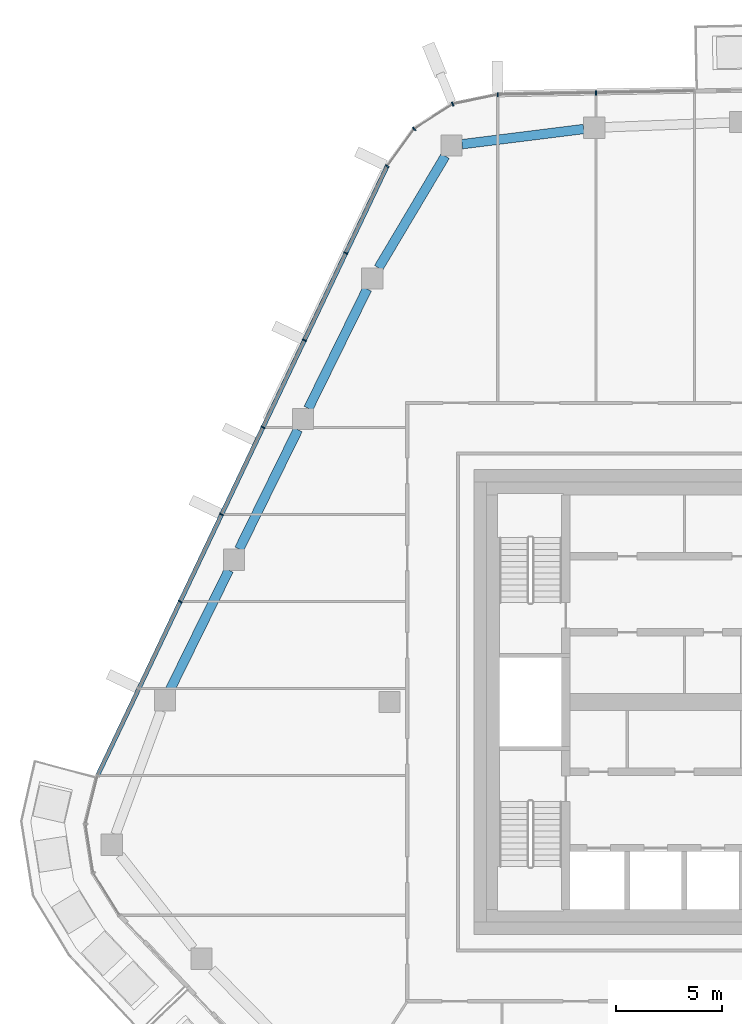
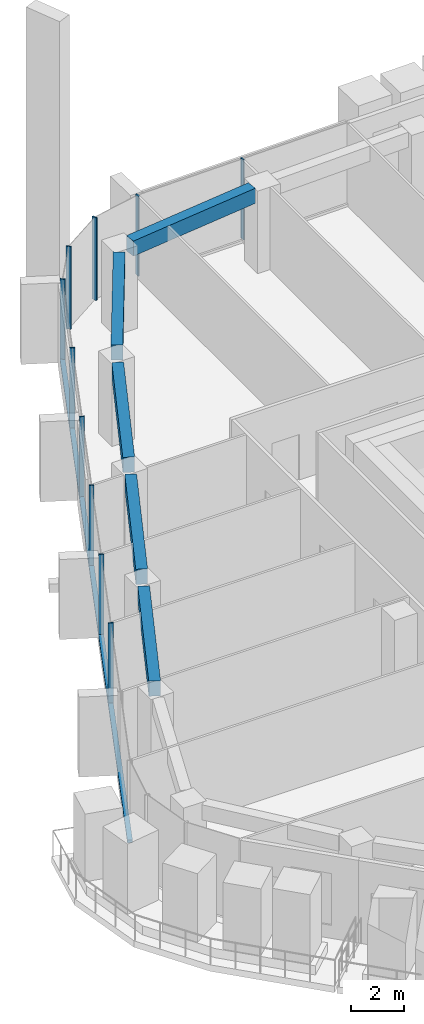
# One storey, part 6 of 24: 11 members, 5 beams, 3 elements without a shape of their own.
"""IFC4 building model written with IfcOpenShell, lengths in metres."""

from ifc_helpers import new_model, si_unit, direction, frame, origin, origin_2d, place, context, subcontext, project, spatial, rectangle, extrude, material, layer, layer_set, material_profile, profile_set, type_object, element, aggregate, save


model = new_model("IFC4")

# Units and contexts
model_context = context("Model", 3, precision=1e-05, world=origin(), true_north=direction((0.0, 1.0)))
body_context = subcontext(model_context, "Body", "Model", "MODEL_VIEW")
ifc_project = project(units=[si_unit("LENGTHUNIT", "METRE"), si_unit("AREAUNIT", "SQUARE_METRE"), si_unit("VOLUMEUNIT", "CUBIC_METRE"), si_unit("PLANEANGLEUNIT", "RADIAN"), si_unit("MASSUNIT", "GRAM", prefix="KILO")], contexts=[model_context])

# Site, building, storey
site_placement = place(None, origin())
site = spatial("IfcSite", under=ifc_project, at=site_placement, CompositionType="ELEMENT")
building_placement = place(site_placement, origin())
building = spatial("IfcBuilding", under=site, at=building_placement, Name="Dongbaek Canopy Tower", CompositionType="ELEMENT")
storey_placement = place(building_placement, frame((0.0, 0.0, 294.199951171875)))
storey = spatial("IfcBuildingStorey", under=building, at=storey_placement, Name="L62", CompositionType="ELEMENT", Elevation=294.199951171875)

# Curtain wall, members
ifc_material_1 = material(Name="Aluminium 6063-T6 pale anodised", Category="aluminium")
ifc_layer = layer(ifc_material_1, 0.199951171875)
ifc_layer_set = layer_set([ifc_layer], Name="CW-1 unitised tower curtain wall")
curtain_wall_type = type_object("IfcCurtainWallType", Name="CW-1 unitised tower curtain wall", PredefinedType="NOTDEFINED", material=ifc_layer_set)
curtain_wall_1_placement = place(storey_placement, origin())
curtain_wall_1 = element("IfcCurtainWall", 1, at=curtain_wall_1_placement, inside=storey, type_object=curtain_wall_type, Name="CW-1 curtain wall F1.1", PredefinedType="NOTDEFINED")
ifc_material_2 = material(Name="Aluminium 6063-T6 pale anodised", Category="aluminium")
ifc_material_profile_1 = material_profile(ifc_material_2, rectangle(XDim=0.199951171875, YDim=0.06005859375, at=origin_2d()), Name="CW-1 mullion 60 x 200")
ifc_profile_set_1 = profile_set([ifc_material_profile_1], Name="Aluminium 6063-T6 pale anodised")
member_type_1 = type_object("IfcMemberType", Name="CW-1 mullion 60 x 200", PredefinedType="MULLION", material=ifc_profile_set_1)
member_1_placement = place(storey_placement, frame((-8.229736328125, 28.808837890625, 0.1201171875), z_axis=(0.0, 0.0, 1.0), x_axis=(-0.018905076744, 0.999821283067, 0.0)))
member_1 = element("IfcMember", 2, at=member_1_placement, type_object=member_type_1, Name="CW-1 mullion F1.1.2", PredefinedType="MULLION", context=body_context, shape_type="SweptSolid", body=[
    extrude(rectangle(XDim=0.199951171875, YDim=0.06005859375, at=origin_2d()), origin(), (0.0, 0.0, 1.0), 3.699951171875),
])
member_2_placement = place(storey_placement, frame((-12.87548828125, 28.720947265625, 0.1201171875), z_axis=(0.0, 0.0, 1.0), x_axis=(-0.018905076744, 0.999821283067, 0.0)))
member_2 = element("IfcMember", 3, at=member_2_placement, type_object=member_type_1, Name="CW-1 mullion F1.1.3", PredefinedType="MULLION", context=body_context, shape_type="SweptSolid", body=[
    extrude(rectangle(XDim=0.199951171875, YDim=0.06005859375, at=origin_2d()), origin(), (0.0, 0.0, 1.0), 3.699951171875),
])
aggregate(curtain_wall_1, [member_1, member_2])

curtain_wall_2_placement = place(storey_placement, origin())
curtain_wall_2 = element("IfcCurtainWall", 4, at=curtain_wall_2_placement, inside=storey, type_object=curtain_wall_type, Name="CW-1 curtain wall K2.1", PredefinedType="NOTDEFINED")
member_3_placement = place(storey_placement, frame((-15.006591796875, 28.28076171875, 0.0), z_axis=(0.0, 0.0, 1.0), x_axis=(-0.378666313952, 0.92553326395, 0.0)))
member_3 = element("IfcMember", 5, at=member_3_placement, type_object=member_type_1, Name="CW-1 mullion K2.1.2", PredefinedType="MULLION", context=body_context, shape_type="SweptSolid", body=[
    extrude(rectangle(XDim=0.199951171875, YDim=0.06005859375, at=origin_2d()), origin(), (0.0, 0.0, 1.0), 3.820068359375),
])
member_4_placement = place(storey_placement, frame((-16.8271484375, 27.10595703125, 0.0), z_axis=(0.0, 0.0, 1.0), x_axis=(-0.687327722008, 0.726347439288, 0.0)))
member_4 = element("IfcMember", 6, at=member_4_placement, type_object=member_type_1, Name="CW-1 mullion K2.1.3", PredefinedType="MULLION", context=body_context, shape_type="SweptSolid", body=[
    extrude(rectangle(XDim=0.199951171875, YDim=0.06005859375, at=origin_2d()), origin(), (0.0, 0.0, 1.0), 3.820068359375),
])
member_5_placement = place(storey_placement, frame((-18.106201171875, 25.34521484375, 0.0), z_axis=(0.0, 0.0, 1.0), x_axis=(-0.809046439446, 0.587744722494, 0.0)))
member_5 = element("IfcMember", 7, at=member_5_placement, type_object=member_type_1, Name="CW-1 mullion K2.1.4", PredefinedType="MULLION", context=body_context, shape_type="SweptSolid", body=[
    extrude(rectangle(XDim=0.199951171875, YDim=0.06005859375, at=origin_2d()), origin(), (0.0, 0.0, 1.0), 3.820068359375),
])
aggregate(curtain_wall_2, [member_3, member_4, member_5])

curtain_wall_3_placement = place(storey_placement, origin())
curtain_wall_3 = element("IfcCurtainWall", 8, at=curtain_wall_3_placement, inside=storey, type_object=curtain_wall_type, Name="CW-1 curtain wall F2.1", PredefinedType="NOTDEFINED")
member_6_placement = place(storey_placement, frame((-20.0595703125, 21.23388671875, 0.1201171875), z_axis=(0.0, 0.0, 1.0), x_axis=(-0.903236413866, 0.429143310174, 0.0)))
member_6 = element("IfcMember", 9, at=member_6_placement, type_object=member_type_1, Name="CW-1 mullion F2.1.2", PredefinedType="MULLION", context=body_context, shape_type="SweptSolid", body=[
    extrude(rectangle(XDim=0.199951171875, YDim=0.06005859375, at=origin_2d()), origin(), (0.0, 0.0, 1.0), 3.699951171875),
])
member_7_placement = place(storey_placement, frame((-22.016845703125, 17.1142578125, 0.1201171875), z_axis=(0.0, 0.0, 1.0), x_axis=(-0.903236413866, 0.429143310174, 0.0)))
member_7 = element("IfcMember", 10, at=member_7_placement, type_object=member_type_1, Name="CW-1 mullion F2.1.3", PredefinedType="MULLION", context=body_context, shape_type="SweptSolid", body=[
    extrude(rectangle(XDim=0.199951171875, YDim=0.06005859375, at=origin_2d()), origin(), (0.0, 0.0, 1.0), 3.699951171875),
])
member_8_placement = place(storey_placement, frame((-23.974365234375, 12.99462890625, 0.1201171875), z_axis=(0.0, 0.0, 1.0), x_axis=(-0.903236413866, 0.429143310174, 0.0)))
member_8 = element("IfcMember", 11, at=member_8_placement, type_object=member_type_1, Name="CW-1 mullion F2.1.4", PredefinedType="MULLION", context=body_context, shape_type="SweptSolid", body=[
    extrude(rectangle(XDim=0.199951171875, YDim=0.06005859375, at=origin_2d()), origin(), (0.0, 0.0, 1.0), 3.699951171875),
])
member_9_placement = place(storey_placement, frame((-25.931640625, 8.875, 0.1201171875), z_axis=(0.0, 0.0, 1.0), x_axis=(-0.903236413866, 0.429143310174, 0.0)))
member_9 = element("IfcMember", 12, at=member_9_placement, type_object=member_type_1, Name="CW-1 mullion F2.1.5", PredefinedType="MULLION", context=body_context, shape_type="SweptSolid", body=[
    extrude(rectangle(XDim=0.199951171875, YDim=0.06005859375, at=origin_2d()), origin(), (0.0, 0.0, 1.0), 3.699951171875),
])
member_10_placement = place(storey_placement, frame((-27.888916015625, 4.755126953125, 0.1201171875), z_axis=(0.0, 0.0, 1.0), x_axis=(-0.903236413866, 0.429143310174, 0.0)))
member_10 = element("IfcMember", 13, at=member_10_placement, type_object=member_type_1, Name="CW-1 mullion F2.1.6", PredefinedType="MULLION", context=body_context, shape_type="SweptSolid", body=[
    extrude(rectangle(XDim=0.199951171875, YDim=0.06005859375, at=origin_2d()), origin(), (0.0, 0.0, 1.0), 3.699951171875),
])
ifc_material_3 = material(Name="Aluminium 6063-T6 pale anodised", Category="aluminium")
ifc_material_profile_2 = material_profile(ifc_material_3, rectangle(XDim=0.199951171875, YDim=0.1201171875, at=origin_2d()), Name="CW-1 transom 120 x 200")
ifc_profile_set_2 = profile_set([ifc_material_profile_2], Name="Aluminium 6063-T6 pale anodised")
member_type_2 = type_object("IfcMemberType", Name="CW-1 transom 120 x 200", PredefinedType="USERDEFINED", material=ifc_profile_set_2)
member_11_placement = place(storey_placement, frame((-18.106201171875, 25.34521484375, 0.06005859375), z_axis=(-0.42914546134, -0.903235391806, 0.0), x_axis=(0.903235391806, -0.42914546134, 0.0)))
member_11 = element("IfcMember", 14, at=member_11_placement, type_object=member_type_2, Name="CW-1 transom F2.1.1", ObjectType="TRANSOM", PredefinedType="USERDEFINED", context=body_context, shape_type="SweptSolid", body=[
    extrude(rectangle(XDim=0.199951171875, YDim=0.1201171875, at=origin_2d()), origin(), (0.0, 0.0, 1.0), 31.907958984375),
])
aggregate(curtain_wall_3, [member_6, member_7, member_8, member_9, member_10, member_11])

# Beams
ifc_material_4 = material(Name="Concrete C60", Category="concrete")
ifc_material_profile_3 = material_profile(ifc_material_4, rectangle(XDim=0.449951171875, YDim=0.699951171875, at=origin_2d()), Name="RC EDGE BEAM 450x700 C60")
ifc_profile_set_3 = profile_set([ifc_material_profile_3], Name="Concrete C60")
beam_type = type_object("IfcBeamType", Name="RC EDGE BEAM 450x700 C60", PredefinedType="BEAM", material=ifc_profile_set_3)
for number, where, z_axis, x_axis, name in (
    (15, (-28.37109375, 0.5859375, 3.469970703125), (0.441293546446, 0.897362806152, 0.0), (-0.897362806152, 0.441293546446, 0.0), "EDGEBEAM:L62:09"),
    (16, (-25.10107421875, 7.235107421875, 3.469970703125), (0.441433810223, 0.897293815421, 0.0), (-0.897293815421, 0.441433810223, 0.0), "EDGEBEAM:L62:10"),
):
    element("IfcBeam", number, at=place(storey_placement, frame(where, z_axis=z_axis, x_axis=x_axis)), inside=storey, type_object=beam_type, Name=name, PredefinedType="BEAM", context=body_context, shape_type="SweptSolid", body=[
        extrude(rectangle(XDim=0.449951171875, YDim=0.699951171875, at=origin_2d()), origin(), (0.0, 0.0, 1.0), 6.29541015625),
    ])
beam_1_placement = place(storey_placement, frame((-21.830078125, 13.884033203125, 3.469970703125), z_axis=(0.441370345445, 0.897325034846, 0.0), x_axis=(-0.897325034846, 0.441370345445, 0.0)))
element("IfcBeam", 17, at=beam_1_placement, inside=storey, type_object=beam_type, Name="EDGEBEAM:L62:11", PredefinedType="BEAM", context=body_context, shape_type="SweptSolid", body=[
    extrude(rectangle(XDim=0.449951171875, YDim=0.699951171875, at=origin_2d()), origin(), (0.0, 0.0, 1.0), 6.294189453125),
])
beam_2_placement = place(storey_placement, frame((-18.50830078125, 20.531982421875, 3.469970703125), z_axis=(0.511535459107, 0.859262168419, 0.0), x_axis=(-0.859262168419, 0.511535459107, 0.0)))
element("IfcBeam", 18, at=beam_2_placement, inside=storey, type_object=beam_type, Name="EDGEBEAM:L62:12", PredefinedType="BEAM", context=body_context, shape_type="SweptSolid", body=[
    extrude(rectangle(XDim=0.449951171875, YDim=0.699951171875, at=origin_2d()), origin(), (0.0, 0.0, 1.0), 6.1552734375),
])
beam_3_placement = place(storey_placement, frame((-14.56201171875, 26.38330078125, 3.469970703125), z_axis=(0.992296006086, 0.123889613389, 0.0), x_axis=(-0.123889613389, 0.992296006086, 0.0)))
element("IfcBeam", 19, at=beam_3_placement, inside=storey, type_object=beam_type, Name="EDGEBEAM:L62:13", PredefinedType="BEAM", context=body_context, shape_type="SweptSolid", body=[
    extrude(rectangle(XDim=0.449951171875, YDim=0.699951171875, at=origin_2d()), origin(), (0.0, 0.0, 1.0), 5.797607421875),
])

save(model, "model.ifc")
